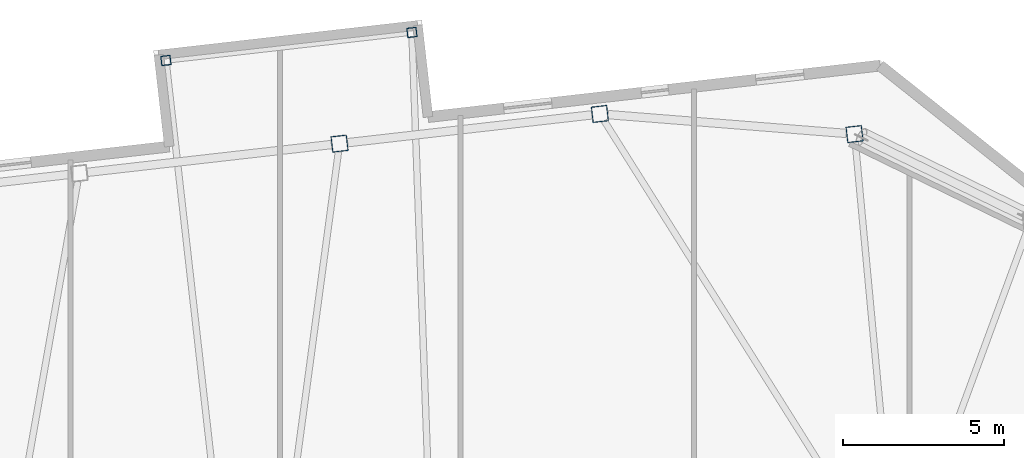
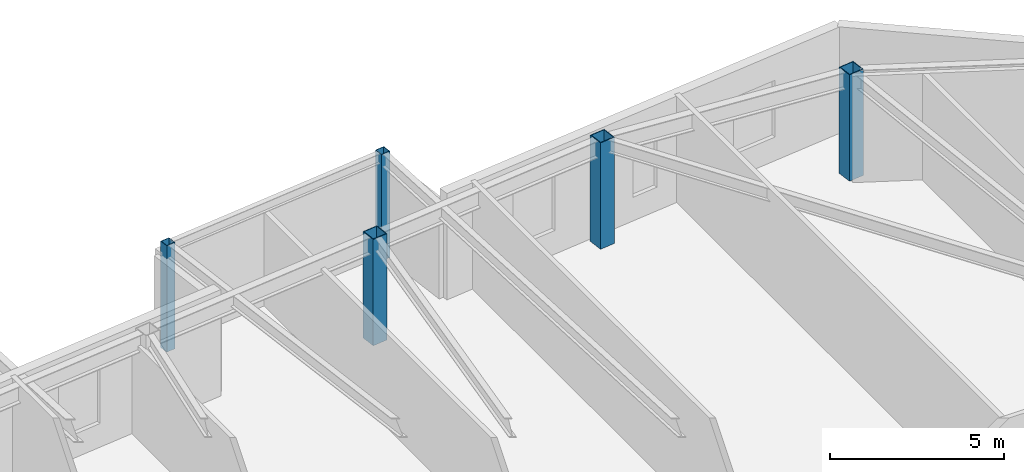
# One storey, part 3 of 21: 5 columns.
"""IFC4 building model written with IfcOpenShell, lengths in metres."""

import ifcopenshell
import ifcopenshell.guid

model = None  # the IFC model being written
_history = None  # IfcOwnerHistory: only IFC2X3 demands one
_inside = {}  # id of a spatial element -> (the spatial element, [elements in it])
_under = {}  # id of a project, library or spatial element -> (it, [spatial elements below it])
_declared = {}  # id of a project -> (the project, [libraries it declares])
_typed = {}  # id of a type object -> (the type object, [elements of that type])
_made_of = {}  # id of a material, layer set ... -> (it, [elements and type objects made of it])


def new_model(schema):
    """Start an empty IFC model of exactly this schema.

    Asked for "IFC4X3", IfcOpenShell would pick the latest addendum, in which some entities
    have other attributes; the version numbers below select the first issue.
    IFC2X3 requires an IfcOwnerHistory on every rooted entity: one is made here for all.
    """
    global model, _history
    if schema == "IFC4X3":
        model = ifcopenshell.file(schema_version=(4, 3, 0, 0))
    else:
        model = ifcopenshell.file(schema=schema)
    _inside.clear()
    _under.clear()
    _declared.clear()
    _typed.clear()
    _made_of.clear()
    _history = None
    if model.schema == "IFC2X3":
        org = make("IfcOrganization", Name="unknown")
        user = make(
            "IfcPersonAndOrganization",
            ThePerson=make("IfcPerson", FamilyName="unknown"),
            TheOrganization=org,
        )
        app = make(
            "IfcApplication",
            ApplicationDeveloper=org,
            Version="unknown",
            ApplicationFullName="unknown",
            ApplicationIdentifier="unknown",
        )
        _history = make(
            "IfcOwnerHistory",
            OwningUser=user,
            OwningApplication=app,
            ChangeAction="ADDED",
            CreationDate=0,
        )
    return model


def make(cls, **values):
    """One entity of the class cls with the attributes given. An attribute that is None is left unset."""
    return model.create_entity(
        cls, **{name: value for name, value in values.items() if value is not None}
    )


def rooted(cls, **values):
    """An entity with a GlobalId (a new one), such as an element, a storey or a relation."""
    return make(cls, GlobalId=ifcopenshell.guid.new(), OwnerHistory=_history, **values)


def si_unit(unit_type, name, prefix=None):
    """IfcSIUnit, for example si_unit("LENGTHUNIT", "METRE", prefix="MILLI")."""
    return make("IfcSIUnit", UnitType=unit_type, Prefix=prefix, Name=name)


def assignment(units):
    """IfcUnitAssignment: the units of a project."""
    return None if units is None else make("IfcUnitAssignment", Units=units)


def point(xyz):
    """IfcCartesianPoint."""
    return None if xyz is None else make("IfcCartesianPoint", Coordinates=xyz)


def direction(xyz):
    """IfcDirection."""
    return None if xyz is None else make("IfcDirection", DirectionRatios=xyz)


def frame(location, z_axis=None, x_axis=None):
    """IfcAxis2Placement3D, a coordinate frame: its origin and axes. An axis left out is left unset."""
    return make(
        "IfcAxis2Placement3D",
        Location=point(location),
        Axis=direction(z_axis),
        RefDirection=direction(x_axis),
    )


def frame_2d(location, x_axis=None):
    """IfcAxis2Placement2D, a coordinate frame in the plane: its origin and x axis."""
    return make(
        "IfcAxis2Placement2D", Location=point(location), RefDirection=direction(x_axis)
    )


def origin():
    """The frame at (0, 0, 0) with its axes left unset."""
    return frame((0.0, 0.0, 0.0))


def origin_2d():
    """The frame at (0, 0) in the plane with its x axis left unset."""
    return frame_2d((0.0, 0.0))


def place(relative_to, where):
    """IfcLocalPlacement: puts the frame where relative to a parent placement (None: the world)."""
    return make(
        "IfcLocalPlacement", PlacementRelTo=relative_to, RelativePlacement=where
    )


def context(
    kind, dimensions, precision=None, world=None, true_north=None, identifier=None
):
    """IfcGeometricRepresentationContext, for example the 3D "Model" context."""
    return make(
        "IfcGeometricRepresentationContext",
        ContextIdentifier=identifier,
        ContextType=kind,
        CoordinateSpaceDimension=dimensions,
        Precision=precision,
        WorldCoordinateSystem=world,
        TrueNorth=true_north,
    )


def subcontext(parent, identifier, kind, view, scale=None):
    """IfcGeometricRepresentationSubContext, for example "Body" below "Model"."""
    return make(
        "IfcGeometricRepresentationSubContext",
        ContextIdentifier=identifier,
        ContextType=kind,
        ParentContext=parent,
        TargetScale=scale,
        TargetView=view,
    )


def project(units=None, contexts=None):
    """IfcProject with its units and contexts."""
    return rooted(
        "IfcProject",
        Name="project",
        RepresentationContexts=contexts,
        UnitsInContext=assignment(units),
    )


def spatial(cls, under=None, at=None, **own):
    """A site, building, storey or space (cls), placed at a placement, below another one or the project."""
    s = rooted(cls, ObjectPlacement=at, **own)
    if under is not None:
        _under.setdefault(under.id(), (under, []))[1].append(s)
    return s


def profile(cls, at=None, kind="AREA", **sizes):
    """A parametric profile (cls). Its sizes go by their IFC names, for example OverallWidth=200.0."""
    return make(cls, ProfileType=kind, Position=at, **sizes)


def hollow_rectangle(**sizes):
    """IfcRectangleHollowProfileDef."""
    return profile("IfcRectangleHollowProfileDef", **sizes)


def extrude(swept, where, along, depth):
    """IfcExtrudedAreaSolid: the profile swept, set in the frame where, extruded along a direction by depth."""
    return make(
        "IfcExtrudedAreaSolid",
        SweptArea=swept,
        Position=where,
        ExtrudedDirection=direction(along),
        Depth=depth,
    )


def shape(context_of_items, identifier, shape_type, items):
    """IfcShapeRepresentation: the items that make up one representation, for example the "Body"."""
    return make(
        "IfcShapeRepresentation",
        ContextOfItems=context_of_items,
        RepresentationIdentifier=identifier,
        RepresentationType=shape_type,
        Items=items,
    )


def material(Name=None, Category=None):
    """IfcMaterial."""
    return make("IfcMaterial", Name=Name, Category=Category)


def material_profile(
    of_material, cross_section, Name=None, Category=None, Priority=None
):
    """IfcMaterialProfile: a cross section and its material."""
    return make(
        "IfcMaterialProfile",
        Name=Name,
        Material=of_material,
        Profile=cross_section,
        Priority=Priority,
        Category=Category,
    )


def profile_set(profiles, Name=None, composite=None):
    """IfcMaterialProfileSet."""
    return make(
        "IfcMaterialProfileSet",
        Name=Name,
        MaterialProfiles=profiles,
        CompositeProfile=composite,
    )


def made_of(thing, what):
    """Note that an element or type object is made of a material, layer set ...; save() writes the relation."""
    if what is not None:
        _made_of.setdefault(what.id(), (what, []))[1].append(thing)
    return thing


def type_object(cls, material=None, **own):
    """A type object (cls), such as IfcWallType, which elements share."""
    return made_of(rooted(cls, **own), material)


def element(
    cls,
    number,
    at=None,
    inside=None,
    cuts=None,
    type_object=None,
    material=None,
    context=None,
    identifier="Body",
    shape_type=None,
    held_by="IfcProductDefinitionShape",
    body=None,
    shapes=None,
    **own,
):
    """One element of the class cls, such as IfcWall. Its Tag is "e" and its number.

    at: its placement. inside: the storey or other place that contains it. cuts: it is an
    opening in that element (IfcRelVoidsElement). A single representation is given by context,
    identifier, shape_type and body (its items); several are given by shapes. held_by: the class
    of the entity that holds the representations. save() writes the other relations.
    """
    e = rooted(cls, Tag="e%d" % number, ObjectPlacement=at, **own)
    if body is not None:
        shapes = [shape(context, identifier, shape_type, body)]
    if shapes is not None:
        e.Representation = make(held_by, Representations=shapes)
    if inside is not None:
        _inside.setdefault(inside.id(), (inside, []))[1].append(e)
    if cuts is not None:
        rooted(
            "IfcRelVoidsElement", RelatingBuildingElement=cuts, RelatedOpeningElement=e
        )
    if type_object is not None:
        _typed.setdefault(type_object.id(), (type_object, []))[1].append(e)
    return made_of(e, material)


def aggregate(whole, parts):
    """IfcRelAggregates: a whole, such as a stair, and the parts it consists of."""
    return rooted("IfcRelAggregates", RelatingObject=whole, RelatedObjects=parts)


def save(model, path):
    """Write the relations noted so far, then the file.

    IfcRelAggregates (storeys below a building ...), IfcRelContainedInSpatialStructure (elements
    in a storey), IfcRelDefinesByType, IfcRelAssociatesMaterial and IfcRelDeclares: one each for
    every whole, place, type object, material and project.
    """
    for whole, parts in _under.values():
        aggregate(whole, parts)
    for where, things in _inside.values():
        rooted(
            "IfcRelContainedInSpatialStructure",
            RelatedElements=things,
            RelatingStructure=where,
        )
    for kind, things in _typed.values():
        rooted("IfcRelDefinesByType", RelatedObjects=things, RelatingType=kind)
    for what, things in _made_of.values():
        rooted("IfcRelAssociatesMaterial", RelatedObjects=things, RelatingMaterial=what)
    for by, libraries in _declared.values():
        rooted("IfcRelDeclares", RelatingContext=by, RelatedDefinitions=libraries)
    model.write(path)


model = new_model("IFC4")

# Units and contexts
model_context = context("Model", 3, precision=1e-05, world=origin(), true_north=direction((0.0, 1.0)))
body_context = subcontext(model_context, "Body", "Model", "MODEL_VIEW")
ifc_project = project(units=[si_unit("LENGTHUNIT", "METRE"), si_unit("AREAUNIT", "SQUARE_METRE"), si_unit("VOLUMEUNIT", "CUBIC_METRE"), si_unit("PLANEANGLEUNIT", "RADIAN"), si_unit("MASSUNIT", "GRAM", prefix="KILO")], contexts=[model_context])

# Site, building, storey
site_placement = place(None, origin())
site = spatial("IfcSite", under=ifc_project, at=site_placement, CompositionType="ELEMENT")
building_placement = place(site_placement, origin())
building = spatial("IfcBuilding", under=site, at=building_placement, Name="Tavrogorsk Clinical Tower", CompositionType="ELEMENT")
storey_placement = place(building_placement, frame((0.0, 0.0, 247.0)))
storey = spatial("IfcBuildingStorey", under=building, at=storey_placement, Name="L57", CompositionType="ELEMENT", Elevation=247.0)

# Columns
ifc_material_1 = material(Name="Structural steel S390", Category="steel")
ifc_material_profile_1 = material_profile(ifc_material_1, hollow_rectangle(XDim=0.300048828125, YDim=0.300048828125, WallThickness=0.01611328125, at=origin_2d()), Name="SHS-300x300x16")
ifc_profile_set_1 = profile_set([ifc_material_profile_1], Name="Structural steel S390")
column_type_1 = type_object("IfcColumnType", Name="DayroomCol_SHS300", PredefinedType="COLUMN", material=ifc_profile_set_1)
for number, where, z_axis, x_axis, name in (
    (1, (1.77197265625, 29.54296875, 0.0), (0.0, 0.0, 1.0), (0.993571855677, 0.113203213768, 0.0), "L57 Day-Room Box Column DRB-08-L"),
    (2, (9.422607421875, 30.41455078125, 0.0), (0.0, 0.0, 1.0), (0.993571855677, 0.113203213768, 0.0), "L57 Day-Room Box Column DRB-08-R"),
):
    element("IfcColumn", number, at=place(storey_placement, frame(where, z_axis=z_axis, x_axis=x_axis)), inside=storey, type_object=column_type_1, Name=name, PredefinedType="COLUMN", context=body_context, shape_type="SweptSolid", body=[
        extrude(hollow_rectangle(XDim=0.300048828125, YDim=0.300048828125, WallThickness=0.01611328125, at=origin_2d()), origin(), (0.0, 0.0, 1.0), 3.739990234375),
    ])
ifc_material_2 = material(Name="Structural steel S440", Category="steel")
ifc_material_profile_2 = material_profile(ifc_material_2, hollow_rectangle(XDim=0.5, YDim=0.5, WallThickness=0.02490234375, at=origin_2d()), Name="BOX-500x500x25")
ifc_profile_set_2 = profile_set([ifc_material_profile_2], Name="Structural steel S440")
column_type_2 = type_object("IfcColumnType", Name="PerimCol_B4_BOX500", PredefinedType="COLUMN", material=ifc_profile_set_2)
for number, where, z_axis, x_axis, name in (
    (3, (23.188232421875, 27.25341796875, 0.0), (0.0, 0.0, 1.0), (0.993571855677, 0.113203213768, 0.0), "L57 Perimeter Column N1"),
    (4, (15.2685546875, 27.880126953125, 0.0), (0.0, 0.0, 1.0), (0.993571855677, 0.113203213768, 0.0), "L57 Perimeter Column N2"),
    (5, (7.17236328125, 26.95751953125, 0.0), (0.0, 0.0, 1.0), (0.993571855677, 0.113203213768, 0.0), "L57 Perimeter Column N3"),
):
    element("IfcColumn", number, at=place(storey_placement, frame(where, z_axis=z_axis, x_axis=x_axis)), inside=storey, type_object=column_type_2, Name=name, PredefinedType="COLUMN", context=body_context, shape_type="SweptSolid", body=[
        extrude(hollow_rectangle(XDim=0.5, YDim=0.5, WallThickness=0.02490234375, at=origin_2d()), origin(), (0.0, 0.0, 1.0), 3.739990234375),
    ])

save(model, "model.ifc")
